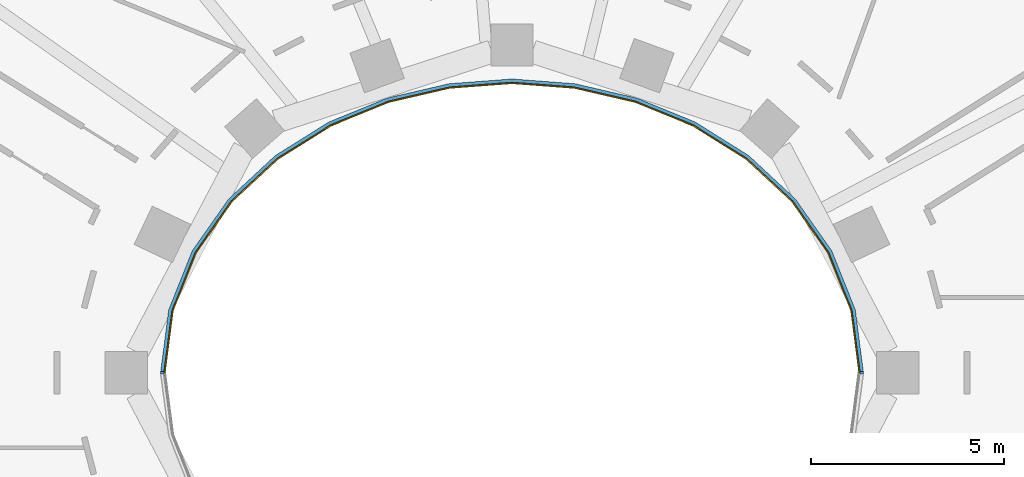
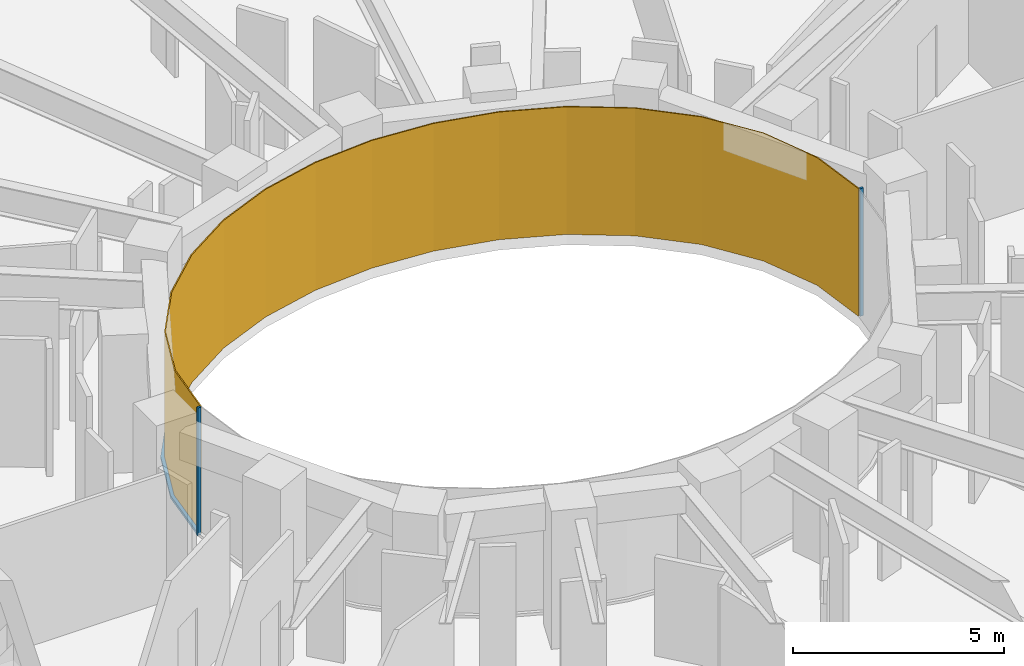
# One storey, part 12 of 19: 3 members, 1 curtain wall.
"""IFC4 building model written with IfcOpenShell, lengths in metres."""

from ifc_helpers import new_model, si_unit, direction, frame, origin, origin_2d, place, context, subcontext, project, spatial, polyline, rectangle, outline, extrude, material, layer, layer_set, material_profile, profile_set, type_object, element, aggregate, save


model = new_model("IFC4")

# Units and contexts
model_context = context("Model", 3, precision=1e-05, world=origin(), true_north=direction((0.0, 1.0)))
body_context = subcontext(model_context, "Body", "Model", "MODEL_VIEW")
ifc_project = project(units=[si_unit("LENGTHUNIT", "METRE"), si_unit("AREAUNIT", "SQUARE_METRE"), si_unit("VOLUMEUNIT", "CUBIC_METRE"), si_unit("PLANEANGLEUNIT", "RADIAN"), si_unit("MASSUNIT", "GRAM", prefix="KILO")], contexts=[model_context])

# Member
ifc_material_1 = material(Name="Steel S355 fire-resisting frame", Category="steel")
ifc_material_profile = material_profile(ifc_material_1, rectangle(XDim=0.090087890625, YDim=0.06005859375, at=origin_2d()), Name="90x60")
ifc_profile_set = profile_set([ifc_material_profile], Name="Steel S355 fire-resisting frame")
member_type_1 = type_object("IfcMemberType", Name="ENV-MULLION-W-90", PredefinedType="MULLION", material=ifc_profile_set)
site_placement = place(None, origin())
building_placement = place(site_placement, origin())
storey_placement = place(building_placement, frame((0.0, 0.0, 146.0)))
member_1_placement = place(storey_placement, frame((9.076904296875, 0.0, 0.0), z_axis=(0.0, 0.0, 1.0), x_axis=(1.0, 0.0, 0.0)))
member_1 = element("IfcMember", 1, at=member_1_placement, type_object=member_type_1, Name="Mullion W well vertex 01", PredefinedType="MULLION", context=body_context, shape_type="SweptSolid", body=[
    extrude(rectangle(XDim=0.090087890625, YDim=0.06005859375, at=origin_2d()), origin(), (0.0, 0.0, 1.0), 3.699951171875),
])

member_2_placement = place(storey_placement, frame((-9.076904296875, 0.0, 0.0), z_axis=(0.0, 0.0, 1.0), x_axis=(-1.0, 0.0, 0.0)))
member_2 = element("IfcMember", 2, at=member_2_placement, type_object=member_type_1, Name="Mullion W well vertex 17", PredefinedType="MULLION", context=body_context, shape_type="SweptSolid", body=[
    extrude(rectangle(XDim=0.090087890625, YDim=0.06005859375, at=origin_2d()), origin(), (0.0, 0.0, 1.0), 3.699951171875),
])

ifc_material_2 = material(Name="Steel S355 fire-resisting frame", Category="steel")
member_type_2 = type_object("IfcMemberType", Name="ENV-TRANSOM-W", PredefinedType="USERDEFINED", material=ifc_material_2)
member_3_placement = place(storey_placement, origin())
member_3 = element("IfcMember", 3, at=member_3_placement, type_object=member_type_2, Name="Transom W well 01-17", ObjectType="TRANSOM", PredefinedType="USERDEFINED", context=body_context, shape_type="SweptSolid", body=[
    extrude(outline(polyline([(9.119384765625, 0.02783203125), (8.910400390625, 1.63623046875), (8.29833984375, 3.167236328125), (7.35107421875, 4.5146484375), (6.1455078125, 5.6337890625), (4.75341796875, 6.50634765625), (3.233642578125, 7.127685546875), (1.635498046875, 7.498779296875), (0.0, 7.622314453125), (-1.635498046875, 7.498779296875), (-3.233642578125, 7.127685546875), (-4.75341796875, 6.50634765625), (-6.1455078125, 5.6337890625), (-7.35107421875, 4.5146484375), (-8.29833984375, 3.167236328125), (-8.910400390625, 1.63623046875), (-9.119384765625, 0.02783203125), (-9.02880859375, 0.02783203125), (-8.822509765625, 1.61328125), (-8.21875, 3.124267578125), (-7.282958984375, 4.455078125), (-6.090576171875, 5.56201171875), (-4.712158203125, 6.426025390625), (-3.206298828125, 7.04150390625), (-1.621826171875, 7.40966796875), (0.0, 7.531982421875), (1.621826171875, 7.40966796875), (3.206298828125, 7.04150390625), (4.712158203125, 6.426025390625), (6.090576171875, 5.56201171875), (7.282958984375, 4.455078125), (8.21875, 3.124267578125), (8.822509765625, 1.61328125), (9.02880859375, 0.02783203125), (9.119384765625, 0.02783203125)])), origin(), (0.0, 0.0, 1.0), 0.080078125),
])

# Site, building, storey
site = spatial("IfcSite", under=ifc_project, at=site_placement, CompositionType="ELEMENT")
building = spatial("IfcBuilding", under=site, at=building_placement, Name="Noorbagh Ring Tower", CompositionType="ELEMENT")
storey = spatial("IfcBuildingStorey", under=building, at=storey_placement, Name="L33", CompositionType="ELEMENT", Elevation=146.0)

# Curtain wall
ifc_material_3 = material(Name="Glass fire-resisting E60 laminated", Category="glass")
ifc_layer = layer(ifc_material_3, 0.031982421875)
ifc_layer_set = layer_set([ifc_layer], Name="Glass fire-resisting E60 laminated")
curtain_wall_type = type_object("IfcCurtainWallType", Name="ENV-CW-W", PredefinedType="NOTDEFINED", material=ifc_layer_set)
curtain_wall_placement = place(storey_placement, origin())
curtain_wall = element("IfcCurtainWall", 4, at=curtain_wall_placement, inside=storey, type_object=curtain_wall_type, Name="Curtain wall W W01", PredefinedType="NOTDEFINED", context=body_context, shape_type="SweptSolid", body=[
    extrude(outline(polyline([(9.0322265625, 0.0), (8.822509765625, 1.61328125), (8.21875, 3.124267578125), (7.282958984375, 4.455078125), (6.090576171875, 5.56201171875), (4.712158203125, 6.426025390625), (3.206298828125, 7.04150390625), (1.621826171875, 7.40966796875), (0.0, 7.531982421875), (-1.621826171875, 7.40966796875), (-3.206298828125, 7.04150390625), (-4.712158203125, 6.426025390625), (-6.090576171875, 5.56201171875), (-7.282958984375, 4.455078125), (-8.21875, 3.124267578125), (-8.822509765625, 1.61328125), (-9.0322265625, 0.0), (-9.0, 0.0), (-8.79150390625, 1.605224609375), (-8.1904296875, 3.10888671875), (-7.2587890625, 4.43408203125), (-6.071044921875, 5.53662109375), (-4.697509765625, 6.3974609375), (-3.196533203125, 7.010986328125), (-1.6171875, 7.3779296875), (0.0, 7.5), (1.6171875, 7.3779296875), (3.196533203125, 7.010986328125), (4.697509765625, 6.3974609375), (6.071044921875, 5.53662109375), (7.2587890625, 4.43408203125), (8.1904296875, 3.10888671875), (8.79150390625, 1.605224609375), (9.0, 0.0), (9.0322265625, 0.0)])), origin(), (0.0, 0.0, 1.0), 3.699951171875),
])

aggregate(curtain_wall, [member_1, member_2, member_3])

save(model, "model.ifc")
